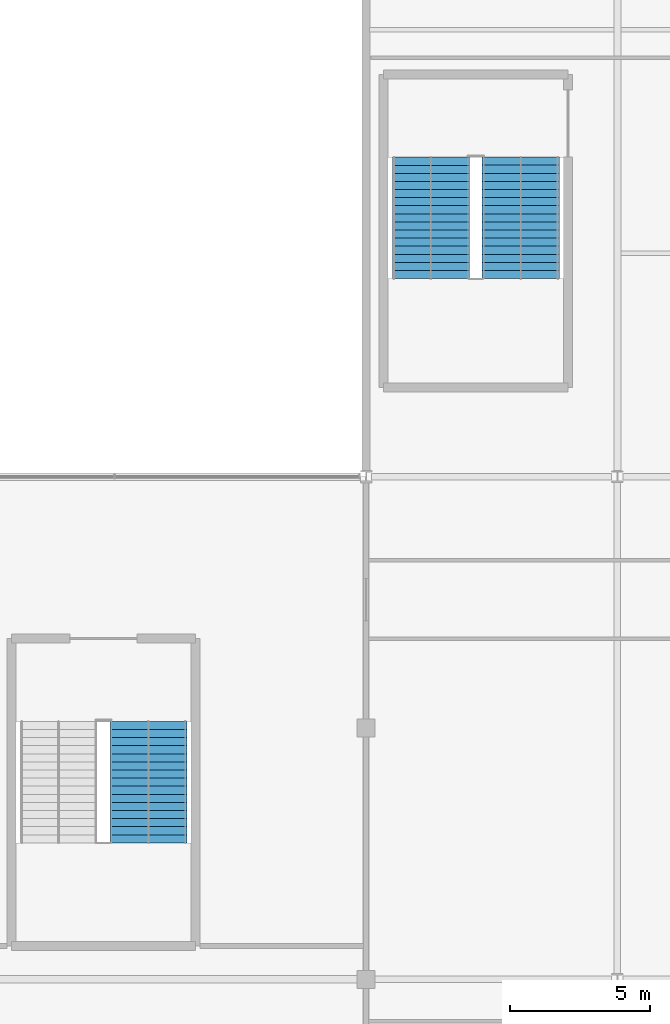
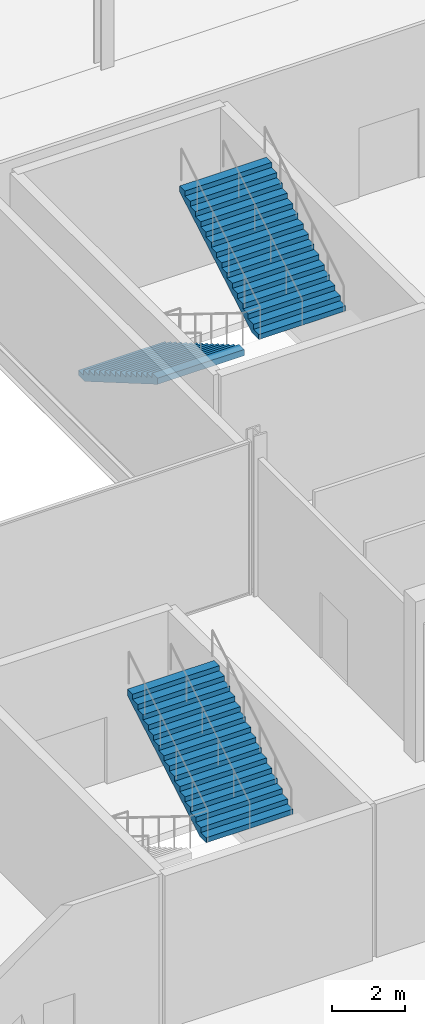
# One storey, part 90 of 111: 3 stair flights, 2 elements without a shape of their own.
"""IFC4 building model written with IfcOpenShell, lengths in metres."""

from ifc_helpers import new_model, si_unit, direction, frame, origin, place, context, subcontext, project, spatial, polygons, material, type_object, element, aggregate, save


model = new_model("IFC4")

# Units and contexts
model_context = context("Model", 3, precision=1e-05, world=origin(), true_north=direction((0.0, 1.0)))
body_context = subcontext(model_context, "Body", "Model", "MODEL_VIEW")
ifc_project = project(units=[si_unit("LENGTHUNIT", "METRE"), si_unit("AREAUNIT", "SQUARE_METRE"), si_unit("VOLUMEUNIT", "CUBIC_METRE"), si_unit("PLANEANGLEUNIT", "RADIAN"), si_unit("MASSUNIT", "GRAM", prefix="KILO")], contexts=[model_context])

# Site, building, storey
site_placement = place(None, origin())
site = spatial("IfcSite", under=ifc_project, at=site_placement, CompositionType="ELEMENT")
building_placement = place(site_placement, origin())
building = spatial("IfcBuilding", under=site, at=building_placement, Name="Kisiwana Market Hall", CompositionType="ELEMENT")
storey_placement = place(building_placement, frame((0.0, 0.0, 11.39990234375)))
storey = spatial("IfcBuildingStorey", under=building, at=storey_placement, Name="L02", CompositionType="ELEMENT", Elevation=11.39990234375)

# Stair, stair flights
ifc_material_1 = material(Name="Concrete C32/40", Category="concrete")
stair_type = type_object("IfcStairType", Name="ST-ESC-5400", PredefinedType="TWO_STRAIGHT_RUN_STAIR", material=ifc_material_1)
stair_1_placement = place(storey_placement, origin())
stair_1 = element("IfcStair", 1, at=stair_1_placement, inside=storey, type_object=stair_type, Name="Escape stair ST-E9-L02", PredefinedType="TWO_STRAIGHT_RUN_STAIR")
ifc_material_2 = material(Name="Concrete C32/40", Category="concrete")
stair_flight_type = type_object("IfcStairFlightType", Name="SF-ESC-5400", PredefinedType="STRAIGHT", material=ifc_material_2)
stair_flight_1_placement = place(storey_placement, frame((155.320068359375, 47.43994140625, 0.0), z_axis=(0.0, 0.0, 1.0), x_axis=(0.0, -1.0, 0.0)))
stair_flight_1 = element("IfcStairFlight", 2, at=stair_flight_1_placement, type_object=stair_flight_type, Name="ST-E9-L02 flight 1", NumberOfRisers=16, NumberOfTreads=15, PredefinedType="STRAIGHT", RiserHeight=0.16875, TreadLength=0.29, context=body_context, shape_type="Tessellation", body=[
    polygons([(0.0, -1.380127, 0.0), (0.0, -0.690125, 0.0), (0.0, -0.000122, 0.0), (0.0, 0.68988, 0.0), (0.0, 1.379883, 0.0), (0.0, -1.380127, 0.168701), (0.0, -0.690125, 0.168701), (0.0, -0.000122, 0.168701), (0.0, 0.68988, 0.168701), (0.0, 1.379883, 0.168701), (0.290039, -1.380127, 0.168701), (0.290039, -0.690125, 0.168701), (0.290039, -0.000122, 0.168701), (0.290039, 0.68988, 0.168701), (0.290039, 1.379883, 0.168701), (0.290039, -1.380127, 0.337402), (0.290039, -0.690125, 0.337402), (0.290039, -0.000122, 0.337402), (0.290039, 0.68988, 0.337402), (0.290039, 1.379883, 0.337402), (0.580078, -1.380127, 0.337402), (0.580078, -0.690125, 0.337402), (0.580078, -0.000122, 0.337402), (0.580078, 0.68988, 0.337402), (0.580078, 1.379883, 0.337402), (0.580078, -1.380127, 0.506348), (0.580078, -0.690125, 0.506348), (0.580078, -0.000122, 0.506348), (0.580078, 0.68988, 0.506348), (0.580078, 1.379883, 0.506348), (0.870117, -1.380127, 0.506348), (0.870117, -0.690125, 0.506348), (0.870117, -0.000122, 0.506348), (0.870117, 0.68988, 0.506348), (0.870117, 1.379883, 0.506348), (0.870117, -1.380127, 0.675049), (0.870117, -0.690125, 0.675049), (0.870117, -0.000122, 0.675049), (0.870117, 0.68988, 0.675049), (0.870117, 1.379883, 0.675049), (1.159912, -1.380127, 0.675049), (1.159912, -0.690125, 0.675049), (1.159912, -0.000122, 0.675049), (1.159912, 0.68988, 0.675049), (1.159912, 1.379883, 0.675049), (1.159912, -1.380127, 0.84375), (1.159912, -0.690125, 0.84375), (1.159912, -0.000122, 0.84375), (1.159912, 0.68988, 0.84375), (1.159912, 1.379883, 0.84375), (1.449951, -1.380127, 0.84375), (1.449951, -0.690125, 0.84375), (1.449951, -0.000122, 0.84375), (1.449951, 0.68988, 0.84375), (1.449951, 1.379883, 0.84375), (1.449951, -1.380127, 1.012451), (1.449951, -0.690125, 1.012451), (1.449951, -0.000122, 1.012451), (1.449951, 0.68988, 1.012451), (1.449951, 1.379883, 1.012451), (1.73999, -1.380127, 1.012451), (1.73999, -0.690125, 1.012451), (1.73999, -0.000122, 1.012451), (1.73999, 0.68988, 1.012451), (1.73999, 1.379883, 1.012451), (1.73999, -1.380127, 1.181152), (1.73999, -0.690125, 1.181152), (1.73999, -0.000122, 1.181152), (1.73999, 0.68988, 1.181152), (1.73999, 1.379883, 1.181152), (2.030029, -1.380127, 1.181152), (2.030029, -0.690125, 1.181152), (2.030029, -0.000122, 1.181152), (2.030029, 0.68988, 1.181152), (2.030029, 1.379883, 1.181152), (2.030029, -1.380127, 1.350098), (2.030029, -0.690125, 1.350098), (2.030029, -0.000122, 1.350098), (2.030029, 0.68988, 1.350098), (2.030029, 1.379883, 1.350098), (2.320068, -1.380127, 1.350098), (2.320068, -0.690125, 1.350098), (2.320068, -0.000122, 1.350098), (2.320068, 0.68988, 1.350098), (2.320068, 1.379883, 1.350098), (2.320068, -1.380127, 1.518799), (2.320068, -0.690125, 1.518799), (2.320068, -0.000122, 1.518799), (2.320068, 0.68988, 1.518799), (2.320068, 1.379883, 1.518799), (2.610107, -1.380127, 1.518799), (2.610107, -0.690125, 1.518799), (2.610107, -0.000122, 1.518799), (2.610107, 0.68988, 1.518799), (2.610107, 1.379883, 1.518799), (2.610107, -1.380127, 1.6875), (2.610107, -0.690125, 1.6875), (2.610107, -0.000122, 1.6875), (2.610107, 0.68988, 1.6875), (2.610107, 1.379883, 1.6875), (2.899902, -1.380127, 1.6875), (2.899902, -0.690125, 1.6875), (2.899902, -0.000122, 1.6875), (2.899902, 0.68988, 1.6875), (2.899902, 1.379883, 1.6875), (2.899902, -1.380127, 1.856201), (2.899902, -0.690125, 1.856201), (2.899902, -0.000122, 1.856201), (2.899902, 0.68988, 1.856201), (2.899902, 1.379883, 1.856201), (3.189941, -1.380127, 1.856201), (3.189941, -0.690125, 1.856201), (3.189941, -0.000122, 1.856201), (3.189941, 0.68988, 1.856201), (3.189941, 1.379883, 1.856201), (3.189941, -1.380127, 2.024902), (3.189941, -0.690125, 2.024902), (3.189941, -0.000122, 2.024902), (3.189941, 0.68988, 2.024902), (3.189941, 1.379883, 2.024902), (3.47998, -1.380127, 2.024902), (3.47998, -0.690125, 2.024902), (3.47998, -0.000122, 2.024902), (3.47998, 0.68988, 2.024902), (3.47998, 1.379883, 2.024902), (3.47998, -1.380127, 2.193848), (3.47998, -0.690125, 2.193848), (3.47998, -0.000122, 2.193848), (3.47998, 0.68988, 2.193848), (3.47998, 1.379883, 2.193848), (3.77002, -1.380127, 2.193848), (3.77002, -0.690125, 2.193848), (3.77002, -0.000122, 2.193848), (3.77002, 0.68988, 2.193848), (3.77002, 1.379883, 2.193848), (3.77002, -1.380127, 2.362549), (3.77002, -0.690125, 2.362549), (3.77002, -0.000122, 2.362549), (3.77002, 0.68988, 2.362549), (3.77002, 1.379883, 2.362549), (4.060059, -1.380127, 2.362549), (4.060059, -0.690125, 2.362549), (4.060059, -0.000122, 2.362549), (4.060059, 0.68988, 2.362549), (4.060059, 1.379883, 2.362549), (4.060059, -1.380127, 2.53125), (4.060059, -0.690125, 2.53125), (4.060059, -0.000122, 2.53125), (4.060059, 0.68988, 2.53125), (4.060059, 1.379883, 2.53125), (4.350098, -1.380127, 2.53125), (4.350098, -0.690125, 2.53125), (4.350098, -0.000122, 2.53125), (4.350098, 0.68988, 2.53125), (4.350098, 1.379883, 2.53125), (4.350098, -1.380127, 2.322998), (4.350098, -0.690125, 2.322998), (4.350098, -0.000122, 2.322998), (4.350098, 0.68988, 2.322998), (4.350098, 1.379883, 2.322998), (0.357666, -1.380127, 0.0), (0.357666, -0.690125, 0.0), (0.357666, -0.000122, 0.0), (0.357666, 0.68988, 0.0), (0.357666, 1.379883, 0.0)], [[[1, 6, 7, 2]], [[2, 7, 8, 3]], [[3, 8, 9, 4]], [[4, 9, 10, 5]], [[6, 11, 12, 7]], [[7, 12, 13, 8]], [[8, 13, 14, 9]], [[9, 14, 15, 10]], [[11, 16, 17, 12]], [[12, 17, 18, 13]], [[13, 18, 19, 14]], [[14, 19, 20, 15]], [[16, 21, 22, 17]], [[17, 22, 23, 18]], [[18, 23, 24, 19]], [[19, 24, 25, 20]], [[21, 26, 27, 22]], [[22, 27, 28, 23]], [[23, 28, 29, 24]], [[24, 29, 30, 25]], [[26, 31, 32, 27]], [[27, 32, 33, 28]], [[28, 33, 34, 29]], [[29, 34, 35, 30]], [[31, 36, 37, 32]], [[32, 37, 38, 33]], [[33, 38, 39, 34]], [[34, 39, 40, 35]], [[36, 41, 42, 37]], [[37, 42, 43, 38]], [[38, 43, 44, 39]], [[39, 44, 45, 40]], [[41, 46, 47, 42]], [[42, 47, 48, 43]], [[43, 48, 49, 44]], [[44, 49, 50, 45]], [[46, 51, 52, 47]], [[47, 52, 53, 48]], [[48, 53, 54, 49]], [[49, 54, 55, 50]], [[51, 56, 57, 52]], [[52, 57, 58, 53]], [[53, 58, 59, 54]], [[54, 59, 60, 55]], [[56, 61, 62, 57]], [[57, 62, 63, 58]], [[58, 63, 64, 59]], [[59, 64, 65, 60]], [[61, 66, 67, 62]], [[62, 67, 68, 63]], [[63, 68, 69, 64]], [[64, 69, 70, 65]], [[66, 71, 72, 67]], [[67, 72, 73, 68]], [[68, 73, 74, 69]], [[69, 74, 75, 70]], [[71, 76, 77, 72]], [[72, 77, 78, 73]], [[73, 78, 79, 74]], [[74, 79, 80, 75]], [[76, 81, 82, 77]], [[77, 82, 83, 78]], [[78, 83, 84, 79]], [[79, 84, 85, 80]], [[81, 86, 87, 82]], [[82, 87, 88, 83]], [[83, 88, 89, 84]], [[84, 89, 90, 85]], [[86, 91, 92, 87]], [[87, 92, 93, 88]], [[88, 93, 94, 89]], [[89, 94, 95, 90]], [[91, 96, 97, 92]], [[92, 97, 98, 93]], [[93, 98, 99, 94]], [[94, 99, 100, 95]], [[96, 101, 102, 97]], [[97, 102, 103, 98]], [[98, 103, 104, 99]], [[99, 104, 105, 100]], [[101, 106, 107, 102]], [[102, 107, 108, 103]], [[103, 108, 109, 104]], [[104, 109, 110, 105]], [[106, 111, 112, 107]], [[107, 112, 113, 108]], [[108, 113, 114, 109]], [[109, 114, 115, 110]], [[111, 116, 117, 112]], [[112, 117, 118, 113]], [[113, 118, 119, 114]], [[114, 119, 120, 115]], [[116, 121, 122, 117]], [[117, 122, 123, 118]], [[118, 123, 124, 119]], [[119, 124, 125, 120]], [[121, 126, 127, 122]], [[122, 127, 128, 123]], [[123, 128, 129, 124]], [[124, 129, 130, 125]], [[126, 131, 132, 127]], [[127, 132, 133, 128]], [[128, 133, 134, 129]], [[129, 134, 135, 130]], [[131, 136, 137, 132]], [[132, 137, 138, 133]], [[133, 138, 139, 134]], [[134, 139, 140, 135]], [[136, 141, 142, 137]], [[137, 142, 143, 138]], [[138, 143, 144, 139]], [[139, 144, 145, 140]], [[141, 146, 147, 142]], [[142, 147, 148, 143]], [[143, 148, 149, 144]], [[144, 149, 150, 145]], [[146, 151, 152, 147]], [[147, 152, 153, 148]], [[148, 153, 154, 149]], [[149, 154, 155, 150]], [[151, 156, 157, 152]], [[152, 157, 158, 153]], [[153, 158, 159, 154]], [[154, 159, 160, 155]], [[156, 161, 162, 157]], [[157, 162, 163, 158]], [[158, 163, 164, 159]], [[159, 164, 165, 160]], [[161, 1, 2, 162]], [[162, 2, 3, 163]], [[163, 3, 4, 164]], [[164, 4, 5, 165]], [[161, 156, 151, 146, 141, 136, 131, 126, 121, 116, 111, 106, 101, 96, 91, 86, 81, 76, 71, 66, 61, 56, 51, 46, 41, 36, 31, 26, 21, 16, 11, 6, 1]], [[5, 10, 15, 20, 25, 30, 35, 40, 45, 50, 55, 60, 65, 70, 75, 80, 85, 90, 95, 100, 105, 110, 115, 120, 125, 130, 135, 140, 145, 150, 155, 160, 165]]], closed=True),
])
stair_flight_2_placement = place(storey_placement, frame((158.5400390625, 43.090087890625, 2.7001953125), z_axis=(0.0, 0.0, 1.0), x_axis=(0.0, 1.0, 0.0)))
stair_flight_2 = element("IfcStairFlight", 3, at=stair_flight_2_placement, type_object=stair_flight_type, Name="ST-E9-L02 flight 2", NumberOfRisers=16, NumberOfTreads=15, PredefinedType="STRAIGHT", RiserHeight=0.16875, TreadLength=0.29, context=body_context, shape_type="Tessellation", body=[
    polygons([(0.0, -1.380127, 0.0), (0.0, -0.690125, 0.0), (0.0, -0.000122, 0.0), (0.0, 0.68988, 0.0), (0.0, 1.379883, 0.0), (0.0, -1.380127, 0.168701), (0.0, -0.690125, 0.168701), (0.0, -0.000122, 0.168701), (0.0, 0.68988, 0.168701), (0.0, 1.379883, 0.168701), (0.290039, -1.380127, 0.168701), (0.290039, -0.690125, 0.168701), (0.290039, -0.000122, 0.168701), (0.290039, 0.68988, 0.168701), (0.290039, 1.379883, 0.168701), (0.290039, -1.380127, 0.337402), (0.290039, -0.690125, 0.337402), (0.290039, -0.000122, 0.337402), (0.290039, 0.68988, 0.337402), (0.290039, 1.379883, 0.337402), (0.580078, -1.380127, 0.337402), (0.580078, -0.690125, 0.337402), (0.580078, -0.000122, 0.337402), (0.580078, 0.68988, 0.337402), (0.580078, 1.379883, 0.337402), (0.580078, -1.380127, 0.506348), (0.580078, -0.690125, 0.506348), (0.580078, -0.000122, 0.506348), (0.580078, 0.68988, 0.506348), (0.580078, 1.379883, 0.506348), (0.870117, -1.380127, 0.506348), (0.870117, -0.690125, 0.506348), (0.870117, -0.000122, 0.506348), (0.870117, 0.68988, 0.506348), (0.870117, 1.379883, 0.506348), (0.870117, -1.380127, 0.675049), (0.870117, -0.690125, 0.675049), (0.870117, -0.000122, 0.675049), (0.870117, 0.68988, 0.675049), (0.870117, 1.379883, 0.675049), (1.159912, -1.380127, 0.675049), (1.159912, -0.690125, 0.675049), (1.159912, -0.000122, 0.675049), (1.159912, 0.68988, 0.675049), (1.159912, 1.379883, 0.675049), (1.159912, -1.380127, 0.84375), (1.159912, -0.690125, 0.84375), (1.159912, -0.000122, 0.84375), (1.159912, 0.68988, 0.84375), (1.159912, 1.379883, 0.84375), (1.449951, -1.380127, 0.84375), (1.449951, -0.690125, 0.84375), (1.449951, -0.000122, 0.84375), (1.449951, 0.68988, 0.84375), (1.449951, 1.379883, 0.84375), (1.449951, -1.380127, 1.012451), (1.449951, -0.690125, 1.012451), (1.449951, -0.000122, 1.012451), (1.449951, 0.68988, 1.012451), (1.449951, 1.379883, 1.012451), (1.73999, -1.380127, 1.012451), (1.73999, -0.690125, 1.012451), (1.73999, -0.000122, 1.012451), (1.73999, 0.68988, 1.012451), (1.73999, 1.379883, 1.012451), (1.73999, -1.380127, 1.181152), (1.73999, -0.690125, 1.181152), (1.73999, -0.000122, 1.181152), (1.73999, 0.68988, 1.181152), (1.73999, 1.379883, 1.181152), (2.030029, -1.380127, 1.181152), (2.030029, -0.690125, 1.181152), (2.030029, -0.000122, 1.181152), (2.030029, 0.68988, 1.181152), (2.030029, 1.379883, 1.181152), (2.030029, -1.380127, 1.350098), (2.030029, -0.690125, 1.350098), (2.030029, -0.000122, 1.350098), (2.030029, 0.68988, 1.350098), (2.030029, 1.379883, 1.350098), (2.320068, -1.380127, 1.350098), (2.320068, -0.690125, 1.350098), (2.320068, -0.000122, 1.350098), (2.320068, 0.68988, 1.350098), (2.320068, 1.379883, 1.350098), (2.320068, -1.380127, 1.518799), (2.320068, -0.690125, 1.518799), (2.320068, -0.000122, 1.518799), (2.320068, 0.68988, 1.518799), (2.320068, 1.379883, 1.518799), (2.610107, -1.380127, 1.518799), (2.610107, -0.690125, 1.518799), (2.610107, -0.000122, 1.518799), (2.610107, 0.68988, 1.518799), (2.610107, 1.379883, 1.518799), (2.610107, -1.380127, 1.6875), (2.610107, -0.690125, 1.6875), (2.610107, -0.000122, 1.6875), (2.610107, 0.68988, 1.6875), (2.610107, 1.379883, 1.6875), (2.899902, -1.380127, 1.6875), (2.899902, -0.690125, 1.6875), (2.899902, -0.000122, 1.6875), (2.899902, 0.68988, 1.6875), (2.899902, 1.379883, 1.6875), (2.899902, -1.380127, 1.856201), (2.899902, -0.690125, 1.856201), (2.899902, -0.000122, 1.856201), (2.899902, 0.68988, 1.856201), (2.899902, 1.379883, 1.856201), (3.189941, -1.380127, 1.856201), (3.189941, -0.690125, 1.856201), (3.189941, -0.000122, 1.856201), (3.189941, 0.68988, 1.856201), (3.189941, 1.379883, 1.856201), (3.189941, -1.380127, 2.024902), (3.189941, -0.690125, 2.024902), (3.189941, -0.000122, 2.024902), (3.189941, 0.68988, 2.024902), (3.189941, 1.379883, 2.024902), (3.47998, -1.380127, 2.024902), (3.47998, -0.690125, 2.024902), (3.47998, -0.000122, 2.024902), (3.47998, 0.68988, 2.024902), (3.47998, 1.379883, 2.024902), (3.47998, -1.380127, 2.193848), (3.47998, -0.690125, 2.193848), (3.47998, -0.000122, 2.193848), (3.47998, 0.68988, 2.193848), (3.47998, 1.379883, 2.193848), (3.77002, -1.380127, 2.193848), (3.77002, -0.690125, 2.193848), (3.77002, -0.000122, 2.193848), (3.77002, 0.68988, 2.193848), (3.77002, 1.379883, 2.193848), (3.77002, -1.380127, 2.362549), (3.77002, -0.690125, 2.362549), (3.77002, -0.000122, 2.362549), (3.77002, 0.68988, 2.362549), (3.77002, 1.379883, 2.362549), (4.060059, -1.380127, 2.362549), (4.060059, -0.690125, 2.362549), (4.060059, -0.000122, 2.362549), (4.060059, 0.68988, 2.362549), (4.060059, 1.379883, 2.362549), (4.060059, -1.380127, 2.53125), (4.060059, -0.690125, 2.53125), (4.060059, -0.000122, 2.53125), (4.060059, 0.68988, 2.53125), (4.060059, 1.379883, 2.53125), (4.350098, -1.380127, 2.53125), (4.350098, -0.690125, 2.53125), (4.350098, -0.000122, 2.53125), (4.350098, 0.68988, 2.53125), (4.350098, 1.379883, 2.53125), (4.350098, -1.380127, 2.322998), (4.350098, -0.690125, 2.322998), (4.350098, -0.000122, 2.322998), (4.350098, 0.68988, 2.322998), (4.350098, 1.379883, 2.322998), (0.357666, -1.380127, 0.0), (0.357666, -0.690125, 0.0), (0.357666, -0.000122, 0.0), (0.357666, 0.68988, 0.0), (0.357666, 1.379883, 0.0)], [[[1, 6, 7, 2]], [[2, 7, 8, 3]], [[3, 8, 9, 4]], [[4, 9, 10, 5]], [[6, 11, 12, 7]], [[7, 12, 13, 8]], [[8, 13, 14, 9]], [[9, 14, 15, 10]], [[11, 16, 17, 12]], [[12, 17, 18, 13]], [[13, 18, 19, 14]], [[14, 19, 20, 15]], [[16, 21, 22, 17]], [[17, 22, 23, 18]], [[18, 23, 24, 19]], [[19, 24, 25, 20]], [[21, 26, 27, 22]], [[22, 27, 28, 23]], [[23, 28, 29, 24]], [[24, 29, 30, 25]], [[26, 31, 32, 27]], [[27, 32, 33, 28]], [[28, 33, 34, 29]], [[29, 34, 35, 30]], [[31, 36, 37, 32]], [[32, 37, 38, 33]], [[33, 38, 39, 34]], [[34, 39, 40, 35]], [[36, 41, 42, 37]], [[37, 42, 43, 38]], [[38, 43, 44, 39]], [[39, 44, 45, 40]], [[41, 46, 47, 42]], [[42, 47, 48, 43]], [[43, 48, 49, 44]], [[44, 49, 50, 45]], [[46, 51, 52, 47]], [[47, 52, 53, 48]], [[48, 53, 54, 49]], [[49, 54, 55, 50]], [[51, 56, 57, 52]], [[52, 57, 58, 53]], [[53, 58, 59, 54]], [[54, 59, 60, 55]], [[56, 61, 62, 57]], [[57, 62, 63, 58]], [[58, 63, 64, 59]], [[59, 64, 65, 60]], [[61, 66, 67, 62]], [[62, 67, 68, 63]], [[63, 68, 69, 64]], [[64, 69, 70, 65]], [[66, 71, 72, 67]], [[67, 72, 73, 68]], [[68, 73, 74, 69]], [[69, 74, 75, 70]], [[71, 76, 77, 72]], [[72, 77, 78, 73]], [[73, 78, 79, 74]], [[74, 79, 80, 75]], [[76, 81, 82, 77]], [[77, 82, 83, 78]], [[78, 83, 84, 79]], [[79, 84, 85, 80]], [[81, 86, 87, 82]], [[82, 87, 88, 83]], [[83, 88, 89, 84]], [[84, 89, 90, 85]], [[86, 91, 92, 87]], [[87, 92, 93, 88]], [[88, 93, 94, 89]], [[89, 94, 95, 90]], [[91, 96, 97, 92]], [[92, 97, 98, 93]], [[93, 98, 99, 94]], [[94, 99, 100, 95]], [[96, 101, 102, 97]], [[97, 102, 103, 98]], [[98, 103, 104, 99]], [[99, 104, 105, 100]], [[101, 106, 107, 102]], [[102, 107, 108, 103]], [[103, 108, 109, 104]], [[104, 109, 110, 105]], [[106, 111, 112, 107]], [[107, 112, 113, 108]], [[108, 113, 114, 109]], [[109, 114, 115, 110]], [[111, 116, 117, 112]], [[112, 117, 118, 113]], [[113, 118, 119, 114]], [[114, 119, 120, 115]], [[116, 121, 122, 117]], [[117, 122, 123, 118]], [[118, 123, 124, 119]], [[119, 124, 125, 120]], [[121, 126, 127, 122]], [[122, 127, 128, 123]], [[123, 128, 129, 124]], [[124, 129, 130, 125]], [[126, 131, 132, 127]], [[127, 132, 133, 128]], [[128, 133, 134, 129]], [[129, 134, 135, 130]], [[131, 136, 137, 132]], [[132, 137, 138, 133]], [[133, 138, 139, 134]], [[134, 139, 140, 135]], [[136, 141, 142, 137]], [[137, 142, 143, 138]], [[138, 143, 144, 139]], [[139, 144, 145, 140]], [[141, 146, 147, 142]], [[142, 147, 148, 143]], [[143, 148, 149, 144]], [[144, 149, 150, 145]], [[146, 151, 152, 147]], [[147, 152, 153, 148]], [[148, 153, 154, 149]], [[149, 154, 155, 150]], [[151, 156, 157, 152]], [[152, 157, 158, 153]], [[153, 158, 159, 154]], [[154, 159, 160, 155]], [[156, 161, 162, 157]], [[157, 162, 163, 158]], [[158, 163, 164, 159]], [[159, 164, 165, 160]], [[161, 1, 2, 162]], [[162, 2, 3, 163]], [[163, 3, 4, 164]], [[164, 4, 5, 165]], [[161, 156, 151, 146, 141, 136, 131, 126, 121, 116, 111, 106, 101, 96, 91, 86, 81, 76, 71, 66, 61, 56, 51, 46, 41, 36, 31, 26, 21, 16, 11, 6, 1]], [[5, 10, 15, 20, 25, 30, 35, 40, 45, 50, 55, 60, 65, 70, 75, 80, 85, 90, 95, 100, 105, 110, 115, 120, 125, 130, 135, 140, 145, 150, 155, 160, 165]]], closed=True),
])
aggregate(stair_1, [stair_flight_1, stair_flight_2])

# Stair, stair flight
stair_2_placement = place(storey_placement, origin())
stair_2 = element("IfcStair", 4, at=stair_2_placement, inside=storey, type_object=stair_type, Name="Escape stair ST-S6-L02", PredefinedType="TWO_STRAIGHT_RUN_STAIR")
stair_flight_3_placement = place(storey_placement, frame((145.2099609375, 22.889892578125, 2.7001953125), z_axis=(0.0, 0.0, 1.0), x_axis=(0.0, 1.0, 0.0)))
stair_flight_3 = element("IfcStairFlight", 5, at=stair_flight_3_placement, type_object=stair_flight_type, Name="ST-S6-L02 flight 2", NumberOfRisers=16, NumberOfTreads=15, PredefinedType="STRAIGHT", RiserHeight=0.16875, TreadLength=0.29, context=body_context, shape_type="Tessellation", body=[
    polygons([(0.0, -1.380127, 0.0), (0.0, -0.690125, 0.0), (0.0, -0.000122, 0.0), (0.0, 0.68988, 0.0), (0.0, 1.379883, 0.0), (0.0, -1.380127, 0.168701), (0.0, -0.690125, 0.168701), (0.0, -0.000122, 0.168701), (0.0, 0.68988, 0.168701), (0.0, 1.379883, 0.168701), (0.290039, -1.380127, 0.168701), (0.290039, -0.690125, 0.168701), (0.290039, -0.000122, 0.168701), (0.290039, 0.68988, 0.168701), (0.290039, 1.379883, 0.168701), (0.290039, -1.380127, 0.337402), (0.290039, -0.690125, 0.337402), (0.290039, -0.000122, 0.337402), (0.290039, 0.68988, 0.337402), (0.290039, 1.379883, 0.337402), (0.580078, -1.380127, 0.337402), (0.580078, -0.690125, 0.337402), (0.580078, -0.000122, 0.337402), (0.580078, 0.68988, 0.337402), (0.580078, 1.379883, 0.337402), (0.580078, -1.380127, 0.506348), (0.580078, -0.690125, 0.506348), (0.580078, -0.000122, 0.506348), (0.580078, 0.68988, 0.506348), (0.580078, 1.379883, 0.506348), (0.870117, -1.380127, 0.506348), (0.870117, -0.690125, 0.506348), (0.870117, -0.000122, 0.506348), (0.870117, 0.68988, 0.506348), (0.870117, 1.379883, 0.506348), (0.870117, -1.380127, 0.675049), (0.870117, -0.690125, 0.675049), (0.870117, -0.000122, 0.675049), (0.870117, 0.68988, 0.675049), (0.870117, 1.379883, 0.675049), (1.159912, -1.380127, 0.675049), (1.159912, -0.690125, 0.675049), (1.159912, -0.000122, 0.675049), (1.159912, 0.68988, 0.675049), (1.159912, 1.379883, 0.675049), (1.159912, -1.380127, 0.84375), (1.159912, -0.690125, 0.84375), (1.159912, -0.000122, 0.84375), (1.159912, 0.68988, 0.84375), (1.159912, 1.379883, 0.84375), (1.449951, -1.380127, 0.84375), (1.449951, -0.690125, 0.84375), (1.449951, -0.000122, 0.84375), (1.449951, 0.68988, 0.84375), (1.449951, 1.379883, 0.84375), (1.449951, -1.380127, 1.012451), (1.449951, -0.690125, 1.012451), (1.449951, -0.000122, 1.012451), (1.449951, 0.68988, 1.012451), (1.449951, 1.379883, 1.012451), (1.73999, -1.380127, 1.012451), (1.73999, -0.690125, 1.012451), (1.73999, -0.000122, 1.012451), (1.73999, 0.68988, 1.012451), (1.73999, 1.379883, 1.012451), (1.73999, -1.380127, 1.181152), (1.73999, -0.690125, 1.181152), (1.73999, -0.000122, 1.181152), (1.73999, 0.68988, 1.181152), (1.73999, 1.379883, 1.181152), (2.030029, -1.380127, 1.181152), (2.030029, -0.690125, 1.181152), (2.030029, -0.000122, 1.181152), (2.030029, 0.68988, 1.181152), (2.030029, 1.379883, 1.181152), (2.030029, -1.380127, 1.350098), (2.030029, -0.690125, 1.350098), (2.030029, -0.000122, 1.350098), (2.030029, 0.68988, 1.350098), (2.030029, 1.379883, 1.350098), (2.320068, -1.380127, 1.350098), (2.320068, -0.690125, 1.350098), (2.320068, -0.000122, 1.350098), (2.320068, 0.68988, 1.350098), (2.320068, 1.379883, 1.350098), (2.320068, -1.380127, 1.518799), (2.320068, -0.690125, 1.518799), (2.320068, -0.000122, 1.518799), (2.320068, 0.68988, 1.518799), (2.320068, 1.379883, 1.518799), (2.610107, -1.380127, 1.518799), (2.610107, -0.690125, 1.518799), (2.610107, -0.000122, 1.518799), (2.610107, 0.68988, 1.518799), (2.610107, 1.379883, 1.518799), (2.610107, -1.380127, 1.6875), (2.610107, -0.690125, 1.6875), (2.610107, -0.000122, 1.6875), (2.610107, 0.68988, 1.6875), (2.610107, 1.379883, 1.6875), (2.899902, -1.380127, 1.6875), (2.899902, -0.690125, 1.6875), (2.899902, -0.000122, 1.6875), (2.899902, 0.68988, 1.6875), (2.899902, 1.379883, 1.6875), (2.899902, -1.380127, 1.856201), (2.899902, -0.690125, 1.856201), (2.899902, -0.000122, 1.856201), (2.899902, 0.68988, 1.856201), (2.899902, 1.379883, 1.856201), (3.189941, -1.380127, 1.856201), (3.189941, -0.690125, 1.856201), (3.189941, -0.000122, 1.856201), (3.189941, 0.68988, 1.856201), (3.189941, 1.379883, 1.856201), (3.189941, -1.380127, 2.024902), (3.189941, -0.690125, 2.024902), (3.189941, -0.000122, 2.024902), (3.189941, 0.68988, 2.024902), (3.189941, 1.379883, 2.024902), (3.47998, -1.380127, 2.024902), (3.47998, -0.690125, 2.024902), (3.47998, -0.000122, 2.024902), (3.47998, 0.68988, 2.024902), (3.47998, 1.379883, 2.024902), (3.47998, -1.380127, 2.193848), (3.47998, -0.690125, 2.193848), (3.47998, -0.000122, 2.193848), (3.47998, 0.68988, 2.193848), (3.47998, 1.379883, 2.193848), (3.77002, -1.380127, 2.193848), (3.77002, -0.690125, 2.193848), (3.77002, -0.000122, 2.193848), (3.77002, 0.68988, 2.193848), (3.77002, 1.379883, 2.193848), (3.77002, -1.380127, 2.362549), (3.77002, -0.690125, 2.362549), (3.77002, -0.000122, 2.362549), (3.77002, 0.68988, 2.362549), (3.77002, 1.379883, 2.362549), (4.060059, -1.380127, 2.362549), (4.060059, -0.690125, 2.362549), (4.060059, -0.000122, 2.362549), (4.060059, 0.68988, 2.362549), (4.060059, 1.379883, 2.362549), (4.060059, -1.380127, 2.53125), (4.060059, -0.690125, 2.53125), (4.060059, -0.000122, 2.53125), (4.060059, 0.68988, 2.53125), (4.060059, 1.379883, 2.53125), (4.350098, -1.380127, 2.53125), (4.350098, -0.690125, 2.53125), (4.350098, -0.000122, 2.53125), (4.350098, 0.68988, 2.53125), (4.350098, 1.379883, 2.53125), (4.350098, -1.380127, 2.322998), (4.350098, -0.690125, 2.322998), (4.350098, -0.000122, 2.322998), (4.350098, 0.68988, 2.322998), (4.350098, 1.379883, 2.322998), (0.357666, -1.380127, 0.0), (0.357666, -0.690125, 0.0), (0.357666, -0.000122, 0.0), (0.357666, 0.68988, 0.0), (0.357666, 1.379883, 0.0)], [[[1, 6, 7, 2]], [[2, 7, 8, 3]], [[3, 8, 9, 4]], [[4, 9, 10, 5]], [[6, 11, 12, 7]], [[7, 12, 13, 8]], [[8, 13, 14, 9]], [[9, 14, 15, 10]], [[11, 16, 17, 12]], [[12, 17, 18, 13]], [[13, 18, 19, 14]], [[14, 19, 20, 15]], [[16, 21, 22, 17]], [[17, 22, 23, 18]], [[18, 23, 24, 19]], [[19, 24, 25, 20]], [[21, 26, 27, 22]], [[22, 27, 28, 23]], [[23, 28, 29, 24]], [[24, 29, 30, 25]], [[26, 31, 32, 27]], [[27, 32, 33, 28]], [[28, 33, 34, 29]], [[29, 34, 35, 30]], [[31, 36, 37, 32]], [[32, 37, 38, 33]], [[33, 38, 39, 34]], [[34, 39, 40, 35]], [[36, 41, 42, 37]], [[37, 42, 43, 38]], [[38, 43, 44, 39]], [[39, 44, 45, 40]], [[41, 46, 47, 42]], [[42, 47, 48, 43]], [[43, 48, 49, 44]], [[44, 49, 50, 45]], [[46, 51, 52, 47]], [[47, 52, 53, 48]], [[48, 53, 54, 49]], [[49, 54, 55, 50]], [[51, 56, 57, 52]], [[52, 57, 58, 53]], [[53, 58, 59, 54]], [[54, 59, 60, 55]], [[56, 61, 62, 57]], [[57, 62, 63, 58]], [[58, 63, 64, 59]], [[59, 64, 65, 60]], [[61, 66, 67, 62]], [[62, 67, 68, 63]], [[63, 68, 69, 64]], [[64, 69, 70, 65]], [[66, 71, 72, 67]], [[67, 72, 73, 68]], [[68, 73, 74, 69]], [[69, 74, 75, 70]], [[71, 76, 77, 72]], [[72, 77, 78, 73]], [[73, 78, 79, 74]], [[74, 79, 80, 75]], [[76, 81, 82, 77]], [[77, 82, 83, 78]], [[78, 83, 84, 79]], [[79, 84, 85, 80]], [[81, 86, 87, 82]], [[82, 87, 88, 83]], [[83, 88, 89, 84]], [[84, 89, 90, 85]], [[86, 91, 92, 87]], [[87, 92, 93, 88]], [[88, 93, 94, 89]], [[89, 94, 95, 90]], [[91, 96, 97, 92]], [[92, 97, 98, 93]], [[93, 98, 99, 94]], [[94, 99, 100, 95]], [[96, 101, 102, 97]], [[97, 102, 103, 98]], [[98, 103, 104, 99]], [[99, 104, 105, 100]], [[101, 106, 107, 102]], [[102, 107, 108, 103]], [[103, 108, 109, 104]], [[104, 109, 110, 105]], [[106, 111, 112, 107]], [[107, 112, 113, 108]], [[108, 113, 114, 109]], [[109, 114, 115, 110]], [[111, 116, 117, 112]], [[112, 117, 118, 113]], [[113, 118, 119, 114]], [[114, 119, 120, 115]], [[116, 121, 122, 117]], [[117, 122, 123, 118]], [[118, 123, 124, 119]], [[119, 124, 125, 120]], [[121, 126, 127, 122]], [[122, 127, 128, 123]], [[123, 128, 129, 124]], [[124, 129, 130, 125]], [[126, 131, 132, 127]], [[127, 132, 133, 128]], [[128, 133, 134, 129]], [[129, 134, 135, 130]], [[131, 136, 137, 132]], [[132, 137, 138, 133]], [[133, 138, 139, 134]], [[134, 139, 140, 135]], [[136, 141, 142, 137]], [[137, 142, 143, 138]], [[138, 143, 144, 139]], [[139, 144, 145, 140]], [[141, 146, 147, 142]], [[142, 147, 148, 143]], [[143, 148, 149, 144]], [[144, 149, 150, 145]], [[146, 151, 152, 147]], [[147, 152, 153, 148]], [[148, 153, 154, 149]], [[149, 154, 155, 150]], [[151, 156, 157, 152]], [[152, 157, 158, 153]], [[153, 158, 159, 154]], [[154, 159, 160, 155]], [[156, 161, 162, 157]], [[157, 162, 163, 158]], [[158, 163, 164, 159]], [[159, 164, 165, 160]], [[161, 1, 2, 162]], [[162, 2, 3, 163]], [[163, 3, 4, 164]], [[164, 4, 5, 165]], [[161, 156, 151, 146, 141, 136, 131, 126, 121, 116, 111, 106, 101, 96, 91, 86, 81, 76, 71, 66, 61, 56, 51, 46, 41, 36, 31, 26, 21, 16, 11, 6, 1]], [[5, 10, 15, 20, 25, 30, 35, 40, 45, 50, 55, 60, 65, 70, 75, 80, 85, 90, 95, 100, 105, 110, 115, 120, 125, 130, 135, 140, 145, 150, 155, 160, 165]]], closed=True),
])
aggregate(stair_2, [stair_flight_3])

save(model, "model.ifc")
